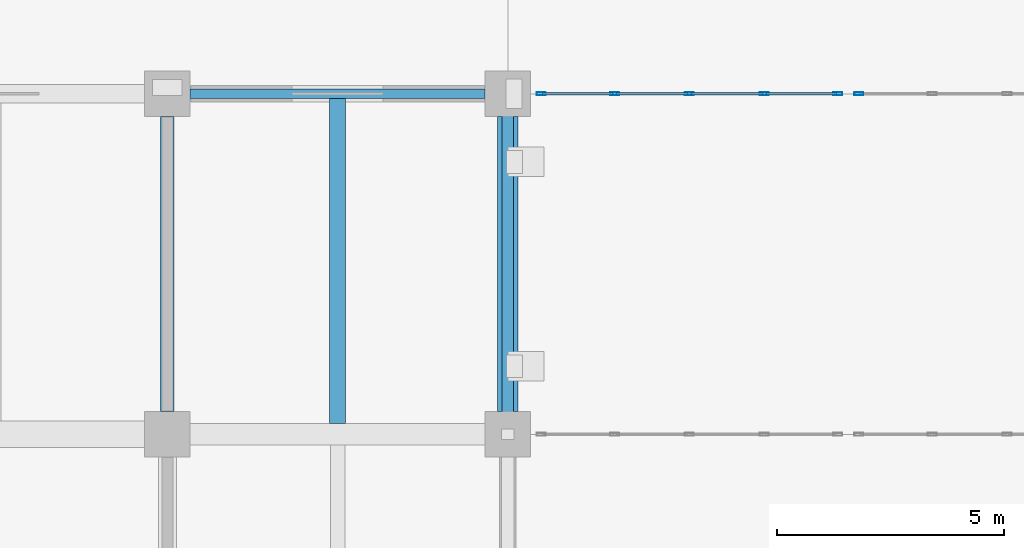
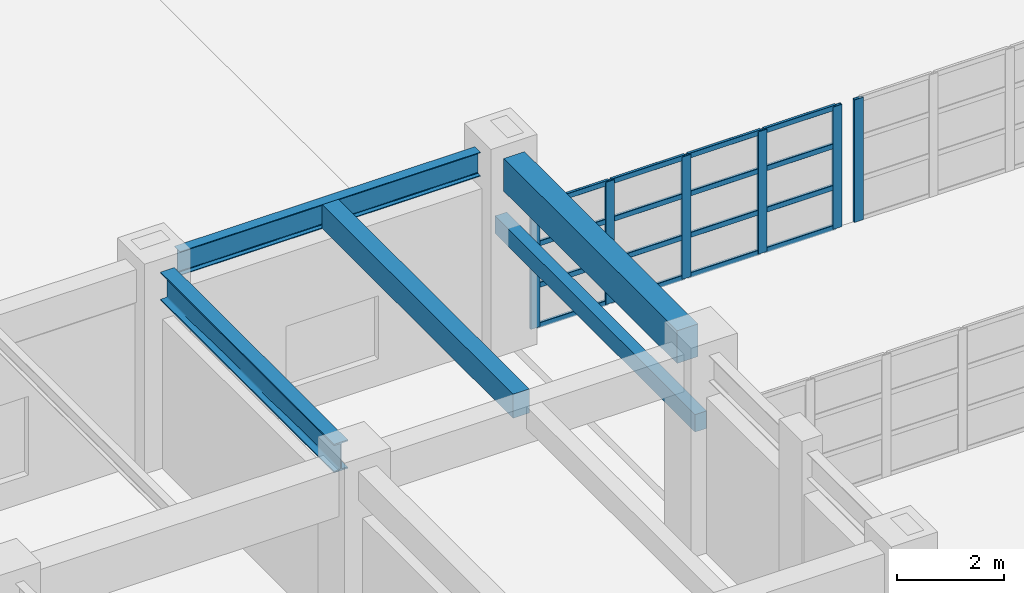
# One storey, part 46 of 122: 22 members, 5 beams, 2 elements without a shape of their own.
"""IFC4 building model written with IfcOpenShell, lengths in metres."""

from ifc_helpers import new_model, si_unit, direction, frame, origin, origin_2d, place, context, subcontext, project, spatial, rectangle, hollow_rectangle, i_section, extrude, material, material_profile, profile_set, type_object, element, aggregate, save


model = new_model("IFC4")

# Units and contexts
model_context = context("Model", 3, precision=1e-05, world=origin(), true_north=direction((0.0, 1.0)))
body_context = subcontext(model_context, "Body", "Model", "MODEL_VIEW")
ifc_project = project(units=[si_unit("LENGTHUNIT", "METRE"), si_unit("AREAUNIT", "SQUARE_METRE"), si_unit("VOLUMEUNIT", "CUBIC_METRE"), si_unit("PLANEANGLEUNIT", "RADIAN"), si_unit("MASSUNIT", "GRAM", prefix="KILO")], contexts=[model_context])

# Site, building, storey
site_placement = place(None, origin())
site = spatial("IfcSite", under=ifc_project, at=site_placement, CompositionType="ELEMENT")
building_placement = place(site_placement, origin())
building = spatial("IfcBuilding", under=site, at=building_placement, Name="Qasida Concert Hall", CompositionType="ELEMENT")
storey_placement = place(building_placement, origin())
storey = spatial("IfcBuildingStorey", under=building, at=storey_placement, Name="L00", CompositionType="ELEMENT", Elevation=0.0)

# Beams
ifc_material_1 = material(Name="Steel S355J2", Category="steel")
ifc_material_profile_1 = material_profile(ifc_material_1, i_section(OverallWidth=0.300048828125, OverallDepth=0.64990234375, WebThickness=0.01611328125, FlangeThickness=0.031005859375, FilletRadius=0.027099609375, at=origin_2d()), Name="HEB 650")
ifc_profile_set_1 = profile_set([ifc_material_profile_1], Name="Steel S355J2")
beam_type_1 = type_object("IfcBeamType", Name="BM-B13", PredefinedType="BEAM", material=ifc_profile_set_1)
beam_1_placement = place(storey_placement, frame((97.5, 75.5, 4.175048828125), z_axis=(0.0, 1.0, 0.0), x_axis=(-1.0, 0.0, 0.0)))
element("IfcBeam", 1, at=beam_1_placement, inside=storey, type_object=beam_type_1, Name="L00 girder 0435", PredefinedType="BEAM", context=body_context, shape_type="SweptSolid", body=[
    extrude(i_section(OverallWidth=0.300048828125, OverallDepth=0.64990234375, WebThickness=0.01611328125, FlangeThickness=0.031005859375, FilletRadius=0.027099609375, at=origin_2d()), origin(), (0.0, 0.0, 1.0), 6.5),
])
ifc_material_2 = material(Name="Concrete C40/50", Category="concrete")
ifc_material_profile_2 = material_profile(ifc_material_2, rectangle(XDim=0.35009765625, YDim=0.550048828125, at=origin_2d()), Name="RC 350x550")
ifc_profile_set_2 = profile_set([ifc_material_profile_2], Name="Concrete C40/50")
beam_type_2 = type_object("IfcBeamType", Name="BM-J8", PredefinedType="JOIST", material=ifc_profile_set_2)
beam_2_placement = place(storey_placement, frame((101.25, 75.239990234375, 4.22509765625), z_axis=(0.0, 1.0, 0.0), x_axis=(-1.0, 0.0, 0.0)))
element("IfcBeam", 2, at=beam_2_placement, inside=storey, type_object=beam_type_2, Name="L00 secondary joist 0463", PredefinedType="JOIST", context=body_context, shape_type="SweptSolid", body=[
    extrude(rectangle(XDim=0.35009765625, YDim=0.550048828125, at=origin_2d()), origin(), (0.0, 0.0, 1.0), 7.155029296875),
])
ifc_material_profile_3 = material_profile(ifc_material_2, rectangle(XDim=0.25, YDim=0.39990234375, at=origin_2d()), Name="RC 250x400")
ifc_profile_set_3 = profile_set([ifc_material_profile_3], Name="Concrete C40/50")
beam_type_3 = type_object("IfcBeamType", Name="BM-LN1", PredefinedType="LINTEL", material=ifc_profile_set_3)
beam_3_placement = place(storey_placement, frame((105.0, 75.0, 2.64990234375), z_axis=(0.0, 1.0, 0.0), x_axis=(-1.0, 0.0, 0.0)))
element("IfcBeam", 3, at=beam_3_placement, inside=storey, type_object=beam_type_3, Name="L00 portal lintel beam 003", PredefinedType="LINTEL", context=body_context, shape_type="SweptSolid", body=[
    extrude(rectangle(XDim=0.25, YDim=0.39990234375, at=origin_2d()), origin(), (0.0, 0.0, 1.0), 7.5),
])
ifc_material_profile_4 = material_profile(ifc_material_1, i_section(OverallWidth=0.2099609375, OverallDepth=0.550048828125, WebThickness=0.010986328125, FlangeThickness=0.01708984375, FilletRadius=0.02392578125, at=origin_2d()), Name="IPE 550")
ifc_profile_set_4 = profile_set([ifc_material_profile_4], Name="Steel S355J2")
beam_type_4 = type_object("IfcBeamType", Name="BM-SP2", PredefinedType="SPANDREL", material=ifc_profile_set_4)
beam_4_placement = place(storey_placement, frame((98.0, 82.5, 4.22509765625), z_axis=(1.0, 0.0, 0.0), x_axis=(0.0, 1.0, 0.0)))
element("IfcBeam", 4, at=beam_4_placement, inside=storey, type_object=beam_type_4, Name="Primary girder 0403", PredefinedType="SPANDREL", context=body_context, shape_type="SweptSolid", body=[
    extrude(i_section(OverallWidth=0.2099609375, OverallDepth=0.550048828125, WebThickness=0.010986328125, FlangeThickness=0.01708984375, FilletRadius=0.02392578125, at=origin_2d()), origin(), (0.0, 0.0, 1.0), 6.5),
])
ifc_material_profile_5 = material_profile(ifc_material_2, rectangle(XDim=0.449951171875, YDim=0.75, at=origin_2d()), Name="RC 450x750")
ifc_profile_set_5 = profile_set([ifc_material_profile_5], Name="Concrete C40/50")
beam_type_5 = type_object("IfcBeamType", Name="BM-SP4", PredefinedType="SPANDREL", material=ifc_profile_set_5)
beam_5_placement = place(storey_placement, frame((105.0, 75.5, 4.125), z_axis=(0.0, 1.0, 0.0), x_axis=(-1.0, 0.0, 0.0)))
element("IfcBeam", 5, at=beam_5_placement, inside=storey, type_object=beam_type_5, Name="L00 girder 0441", PredefinedType="SPANDREL", context=body_context, shape_type="SweptSolid", body=[
    extrude(rectangle(XDim=0.449951171875, YDim=0.75, at=origin_2d()), origin(), (0.0, 0.0, 1.0), 6.5),
])

# Curtain wall, members
ifc_material_3 = material(Name="Architectural bronze-anodized aluminium and low-E glass", Category="aluminium")
curtain_wall_type = type_object("IfcCurtainWallType", Name="CW-08", PredefinedType="NOTDEFINED", material=ifc_material_3)
curtain_wall_1_placement = place(storey_placement, origin())
curtain_wall_1 = element("IfcCurtainWall", 6, at=curtain_wall_1_placement, inside=storey, type_object=curtain_wall_type, Name="L00 link bridge glazing 0223", PredefinedType="NOTDEFINED")
ifc_material_4 = material(Name="Architectural bronze-anodized aluminium EN AW-6063", Category="aluminium")
ifc_material_profile_6 = material_profile(ifc_material_4, hollow_rectangle(XDim=0.06494140625, YDim=0.199951171875, WallThickness=0.0048828125, InnerFilletRadius=0.0048828125, OuterFilletRadius=0.010009765625, at=origin_2d()), Name="CWM 200x65x5")
ifc_profile_set_6 = profile_set([ifc_material_profile_6], Name="Architectural bronze-anodized aluminium EN AW-6063")
member_type_1 = type_object("IfcMemberType", Name="MB-CWM-2", PredefinedType="MULLION", material=ifc_profile_set_6)
member_1_placement = place(storey_placement, frame((105.732421875, 82.5, 0.0), z_axis=(0.0, 0.0, 1.0), x_axis=(0.0, 1.0, 0.0)))
member_1 = element("IfcMember", 7, at=member_1_placement, type_object=member_type_1, Name="CW-08 mullion 1", PredefinedType="MULLION", context=body_context, shape_type="SweptSolid", body=[
    extrude(hollow_rectangle(XDim=0.06494140625, YDim=0.199951171875, WallThickness=0.0048828125, InnerFilletRadius=0.0048828125, OuterFilletRadius=0.010009765625, at=origin_2d()), origin(), (0.0, 0.0, 1.0), 2.800048828125),
])
member_2_placement = place(storey_placement, frame((107.35009765625, 82.5, 0.0), z_axis=(0.0, 0.0, 1.0), x_axis=(0.0, 1.0, 0.0)))
member_2 = element("IfcMember", 8, at=member_2_placement, type_object=member_type_1, Name="CW-08 mullion 2", PredefinedType="MULLION", context=body_context, shape_type="SweptSolid", body=[
    extrude(hollow_rectangle(XDim=0.06494140625, YDim=0.199951171875, WallThickness=0.0048828125, InnerFilletRadius=0.0048828125, OuterFilletRadius=0.010009765625, at=origin_2d()), origin(), (0.0, 0.0, 1.0), 2.800048828125),
])
member_3_placement = place(storey_placement, frame((109.0, 82.5, 0.0), z_axis=(0.0, 0.0, 1.0), x_axis=(0.0, 1.0, 0.0)))
member_3 = element("IfcMember", 9, at=member_3_placement, type_object=member_type_1, Name="CW-08 mullion 3", PredefinedType="MULLION", context=body_context, shape_type="SweptSolid", body=[
    extrude(hollow_rectangle(XDim=0.06494140625, YDim=0.199951171875, WallThickness=0.0048828125, InnerFilletRadius=0.0048828125, OuterFilletRadius=0.010009765625, at=origin_2d()), origin(), (0.0, 0.0, 1.0), 2.800048828125),
])
member_4_placement = place(storey_placement, frame((110.64990234375, 82.5, 0.0), z_axis=(0.0, 0.0, 1.0), x_axis=(0.0, 1.0, 0.0)))
member_4 = element("IfcMember", 10, at=member_4_placement, type_object=member_type_1, Name="CW-08 mullion 4", PredefinedType="MULLION", context=body_context, shape_type="SweptSolid", body=[
    extrude(hollow_rectangle(XDim=0.06494140625, YDim=0.199951171875, WallThickness=0.0048828125, InnerFilletRadius=0.0048828125, OuterFilletRadius=0.010009765625, at=origin_2d()), origin(), (0.0, 0.0, 1.0), 2.800048828125),
])
member_5_placement = place(storey_placement, frame((112.267578125, 82.5, 0.0), z_axis=(0.0, 0.0, 1.0), x_axis=(0.0, 1.0, 0.0)))
member_5 = element("IfcMember", 11, at=member_5_placement, type_object=member_type_1, Name="CW-08 mullion 5", PredefinedType="MULLION", context=body_context, shape_type="SweptSolid", body=[
    extrude(hollow_rectangle(XDim=0.06494140625, YDim=0.199951171875, WallThickness=0.0048828125, InnerFilletRadius=0.0048828125, OuterFilletRadius=0.010009765625, at=origin_2d()), origin(), (0.0, 0.0, 1.0), 2.800048828125),
])

# Curtain wall, member
curtain_wall_2_placement = place(storey_placement, origin())
curtain_wall_2 = element("IfcCurtainWall", 12, at=curtain_wall_2_placement, inside=storey, type_object=curtain_wall_type, Name="L00 link bridge glazing 0225", PredefinedType="NOTDEFINED")
member_6_placement = place(storey_placement, frame((112.732421875, 82.5, 0.0), z_axis=(0.0, 0.0, 1.0), x_axis=(0.0, 1.0, 0.0)))
member_6 = element("IfcMember", 13, at=member_6_placement, type_object=member_type_1, Name="CW-08 mullion 1", PredefinedType="MULLION", context=body_context, shape_type="SweptSolid", body=[
    extrude(hollow_rectangle(XDim=0.06494140625, YDim=0.199951171875, WallThickness=0.0048828125, InnerFilletRadius=0.0048828125, OuterFilletRadius=0.010009765625, at=origin_2d()), origin(), (0.0, 0.0, 1.0), 2.800048828125),
])
aggregate(curtain_wall_2, [member_6])

# Member
ifc_material_profile_7 = material_profile(ifc_material_4, hollow_rectangle(XDim=0.06005859375, YDim=0.1201171875, WallThickness=0.00390625, InnerFilletRadius=0.00390625, OuterFilletRadius=0.008056640625, at=origin_2d()), Name="CWT 120x60x4")
ifc_profile_set_7 = profile_set([ifc_material_profile_7], Name="Architectural bronze-anodized aluminium EN AW-6063")
member_type_2 = type_object("IfcMemberType", Name="MB-CWT-2", PredefinedType="USERDEFINED", material=ifc_profile_set_7)
member_7_placement = place(storey_placement, frame((105.764892578125, 82.5, 0.030029296875), z_axis=(1.0, 0.0, 0.0), x_axis=(0.0, 1.0, 0.0)))
member_7 = element("IfcMember", 14, at=member_7_placement, type_object=member_type_2, Name="CW-08 transom 1.1", ObjectType="TRANSOM", PredefinedType="USERDEFINED", context=body_context, shape_type="SweptSolid", body=[
    extrude(hollow_rectangle(XDim=0.06005859375, YDim=0.1201171875, WallThickness=0.00390625, InnerFilletRadius=0.00390625, OuterFilletRadius=0.008056640625, at=origin_2d()), origin(), (0.0, 0.0, 1.0), 1.552490234375),
])

member_8_placement = place(storey_placement, frame((105.764892578125, 82.5, 0.949951171875), z_axis=(1.0, 0.0, 0.0), x_axis=(0.0, 1.0, 0.0)))
member_8 = element("IfcMember", 15, at=member_8_placement, type_object=member_type_2, Name="CW-08 transom 1.2", ObjectType="TRANSOM", PredefinedType="USERDEFINED", context=body_context, shape_type="SweptSolid", body=[
    extrude(hollow_rectangle(XDim=0.06005859375, YDim=0.1201171875, WallThickness=0.00390625, InnerFilletRadius=0.00390625, OuterFilletRadius=0.008056640625, at=origin_2d()), origin(), (0.0, 0.0, 1.0), 1.552490234375),
])

member_9_placement = place(storey_placement, frame((105.764892578125, 82.5, 1.89990234375), z_axis=(1.0, 0.0, 0.0), x_axis=(0.0, 1.0, 0.0)))
member_9 = element("IfcMember", 16, at=member_9_placement, type_object=member_type_2, Name="CW-08 transom 1.3", ObjectType="TRANSOM", PredefinedType="USERDEFINED", context=body_context, shape_type="SweptSolid", body=[
    extrude(hollow_rectangle(XDim=0.06005859375, YDim=0.1201171875, WallThickness=0.00390625, InnerFilletRadius=0.00390625, OuterFilletRadius=0.008056640625, at=origin_2d()), origin(), (0.0, 0.0, 1.0), 1.552490234375),
])

member_10_placement = place(storey_placement, frame((105.764892578125, 82.5, 2.77001953125), z_axis=(1.0, 0.0, 0.0), x_axis=(0.0, 1.0, 0.0)))
member_10 = element("IfcMember", 17, at=member_10_placement, type_object=member_type_2, Name="CW-08 transom 1.4", ObjectType="TRANSOM", PredefinedType="USERDEFINED", context=body_context, shape_type="SweptSolid", body=[
    extrude(hollow_rectangle(XDim=0.06005859375, YDim=0.1201171875, WallThickness=0.00390625, InnerFilletRadius=0.00390625, OuterFilletRadius=0.008056640625, at=origin_2d()), origin(), (0.0, 0.0, 1.0), 1.552490234375),
])

member_11_placement = place(storey_placement, frame((107.382568359375, 82.5, 0.030029296875), z_axis=(1.0, 0.0, 0.0), x_axis=(0.0, 1.0, 0.0)))
member_11 = element("IfcMember", 18, at=member_11_placement, type_object=member_type_2, Name="CW-08 transom 2.1", ObjectType="TRANSOM", PredefinedType="USERDEFINED", context=body_context, shape_type="SweptSolid", body=[
    extrude(hollow_rectangle(XDim=0.06005859375, YDim=0.1201171875, WallThickness=0.00390625, InnerFilletRadius=0.00390625, OuterFilletRadius=0.008056640625, at=origin_2d()), origin(), (0.0, 0.0, 1.0), 1.5849609375),
])

member_12_placement = place(storey_placement, frame((107.382568359375, 82.5, 0.949951171875), z_axis=(1.0, 0.0, 0.0), x_axis=(0.0, 1.0, 0.0)))
member_12 = element("IfcMember", 19, at=member_12_placement, type_object=member_type_2, Name="CW-08 transom 2.2", ObjectType="TRANSOM", PredefinedType="USERDEFINED", context=body_context, shape_type="SweptSolid", body=[
    extrude(hollow_rectangle(XDim=0.06005859375, YDim=0.1201171875, WallThickness=0.00390625, InnerFilletRadius=0.00390625, OuterFilletRadius=0.008056640625, at=origin_2d()), origin(), (0.0, 0.0, 1.0), 1.5849609375),
])

member_13_placement = place(storey_placement, frame((107.382568359375, 82.5, 1.89990234375), z_axis=(1.0, 0.0, 0.0), x_axis=(0.0, 1.0, 0.0)))
member_13 = element("IfcMember", 20, at=member_13_placement, type_object=member_type_2, Name="CW-08 transom 2.3", ObjectType="TRANSOM", PredefinedType="USERDEFINED", context=body_context, shape_type="SweptSolid", body=[
    extrude(hollow_rectangle(XDim=0.06005859375, YDim=0.1201171875, WallThickness=0.00390625, InnerFilletRadius=0.00390625, OuterFilletRadius=0.008056640625, at=origin_2d()), origin(), (0.0, 0.0, 1.0), 1.5849609375),
])

member_14_placement = place(storey_placement, frame((107.382568359375, 82.5, 2.77001953125), z_axis=(1.0, 0.0, 0.0), x_axis=(0.0, 1.0, 0.0)))
member_14 = element("IfcMember", 21, at=member_14_placement, type_object=member_type_2, Name="CW-08 transom 2.4", ObjectType="TRANSOM", PredefinedType="USERDEFINED", context=body_context, shape_type="SweptSolid", body=[
    extrude(hollow_rectangle(XDim=0.06005859375, YDim=0.1201171875, WallThickness=0.00390625, InnerFilletRadius=0.00390625, OuterFilletRadius=0.008056640625, at=origin_2d()), origin(), (0.0, 0.0, 1.0), 1.5849609375),
])

member_15_placement = place(storey_placement, frame((109.032470703125, 82.5, 0.030029296875), z_axis=(1.0, 0.0, 0.0), x_axis=(0.0, 1.0, 0.0)))
member_15 = element("IfcMember", 22, at=member_15_placement, type_object=member_type_2, Name="CW-08 transom 3.1", ObjectType="TRANSOM", PredefinedType="USERDEFINED", context=body_context, shape_type="SweptSolid", body=[
    extrude(hollow_rectangle(XDim=0.06005859375, YDim=0.1201171875, WallThickness=0.00390625, InnerFilletRadius=0.00390625, OuterFilletRadius=0.008056640625, at=origin_2d()), origin(), (0.0, 0.0, 1.0), 1.5849609375),
])

member_16_placement = place(storey_placement, frame((109.032470703125, 82.5, 0.949951171875), z_axis=(1.0, 0.0, 0.0), x_axis=(0.0, 1.0, 0.0)))
member_16 = element("IfcMember", 23, at=member_16_placement, type_object=member_type_2, Name="CW-08 transom 3.2", ObjectType="TRANSOM", PredefinedType="USERDEFINED", context=body_context, shape_type="SweptSolid", body=[
    extrude(hollow_rectangle(XDim=0.06005859375, YDim=0.1201171875, WallThickness=0.00390625, InnerFilletRadius=0.00390625, OuterFilletRadius=0.008056640625, at=origin_2d()), origin(), (0.0, 0.0, 1.0), 1.5849609375),
])

member_17_placement = place(storey_placement, frame((109.032470703125, 82.5, 1.89990234375), z_axis=(1.0, 0.0, 0.0), x_axis=(0.0, 1.0, 0.0)))
member_17 = element("IfcMember", 24, at=member_17_placement, type_object=member_type_2, Name="CW-08 transom 3.3", ObjectType="TRANSOM", PredefinedType="USERDEFINED", context=body_context, shape_type="SweptSolid", body=[
    extrude(hollow_rectangle(XDim=0.06005859375, YDim=0.1201171875, WallThickness=0.00390625, InnerFilletRadius=0.00390625, OuterFilletRadius=0.008056640625, at=origin_2d()), origin(), (0.0, 0.0, 1.0), 1.5849609375),
])

member_18_placement = place(storey_placement, frame((109.032470703125, 82.5, 2.77001953125), z_axis=(1.0, 0.0, 0.0), x_axis=(0.0, 1.0, 0.0)))
member_18 = element("IfcMember", 25, at=member_18_placement, type_object=member_type_2, Name="CW-08 transom 3.4", ObjectType="TRANSOM", PredefinedType="USERDEFINED", context=body_context, shape_type="SweptSolid", body=[
    extrude(hollow_rectangle(XDim=0.06005859375, YDim=0.1201171875, WallThickness=0.00390625, InnerFilletRadius=0.00390625, OuterFilletRadius=0.008056640625, at=origin_2d()), origin(), (0.0, 0.0, 1.0), 1.5849609375),
])

member_19_placement = place(storey_placement, frame((110.6826171875, 82.5, 0.030029296875), z_axis=(1.0, 0.0, 0.0), x_axis=(0.0, 1.0, 0.0)))
member_19 = element("IfcMember", 26, at=member_19_placement, type_object=member_type_2, Name="CW-08 transom 4.1", ObjectType="TRANSOM", PredefinedType="USERDEFINED", context=body_context, shape_type="SweptSolid", body=[
    extrude(hollow_rectangle(XDim=0.06005859375, YDim=0.1201171875, WallThickness=0.00390625, InnerFilletRadius=0.00390625, OuterFilletRadius=0.008056640625, at=origin_2d()), origin(), (0.0, 0.0, 1.0), 1.552490234375),
])

member_20_placement = place(storey_placement, frame((110.6826171875, 82.5, 0.949951171875), z_axis=(1.0, 0.0, 0.0), x_axis=(0.0, 1.0, 0.0)))
member_20 = element("IfcMember", 27, at=member_20_placement, type_object=member_type_2, Name="CW-08 transom 4.2", ObjectType="TRANSOM", PredefinedType="USERDEFINED", context=body_context, shape_type="SweptSolid", body=[
    extrude(hollow_rectangle(XDim=0.06005859375, YDim=0.1201171875, WallThickness=0.00390625, InnerFilletRadius=0.00390625, OuterFilletRadius=0.008056640625, at=origin_2d()), origin(), (0.0, 0.0, 1.0), 1.552490234375),
])

member_21_placement = place(storey_placement, frame((110.6826171875, 82.5, 1.89990234375), z_axis=(1.0, 0.0, 0.0), x_axis=(0.0, 1.0, 0.0)))
member_21 = element("IfcMember", 28, at=member_21_placement, type_object=member_type_2, Name="CW-08 transom 4.3", ObjectType="TRANSOM", PredefinedType="USERDEFINED", context=body_context, shape_type="SweptSolid", body=[
    extrude(hollow_rectangle(XDim=0.06005859375, YDim=0.1201171875, WallThickness=0.00390625, InnerFilletRadius=0.00390625, OuterFilletRadius=0.008056640625, at=origin_2d()), origin(), (0.0, 0.0, 1.0), 1.552490234375),
])

member_22_placement = place(storey_placement, frame((110.6826171875, 82.5, 2.77001953125), z_axis=(1.0, 0.0, 0.0), x_axis=(0.0, 1.0, 0.0)))
member_22 = element("IfcMember", 29, at=member_22_placement, type_object=member_type_2, Name="CW-08 transom 4.4", ObjectType="TRANSOM", PredefinedType="USERDEFINED", context=body_context, shape_type="SweptSolid", body=[
    extrude(hollow_rectangle(XDim=0.06005859375, YDim=0.1201171875, WallThickness=0.00390625, InnerFilletRadius=0.00390625, OuterFilletRadius=0.008056640625, at=origin_2d()), origin(), (0.0, 0.0, 1.0), 1.552490234375),
])

aggregate(curtain_wall_1, [member_1, member_2, member_3, member_4, member_5, member_7, member_8, member_9, member_10, member_11, member_12, member_13, member_14, member_15, member_16, member_17, member_18, member_19, member_20, member_21, member_22])

save(model, "model.ifc")
